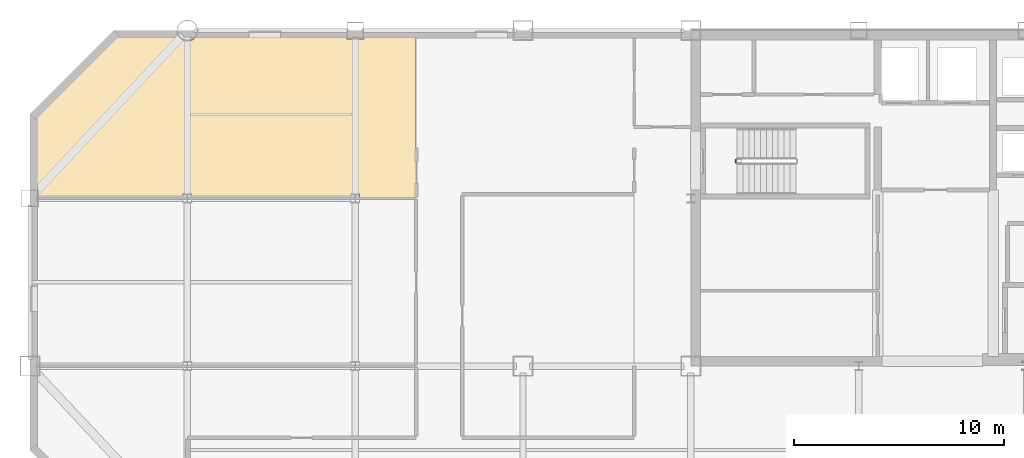
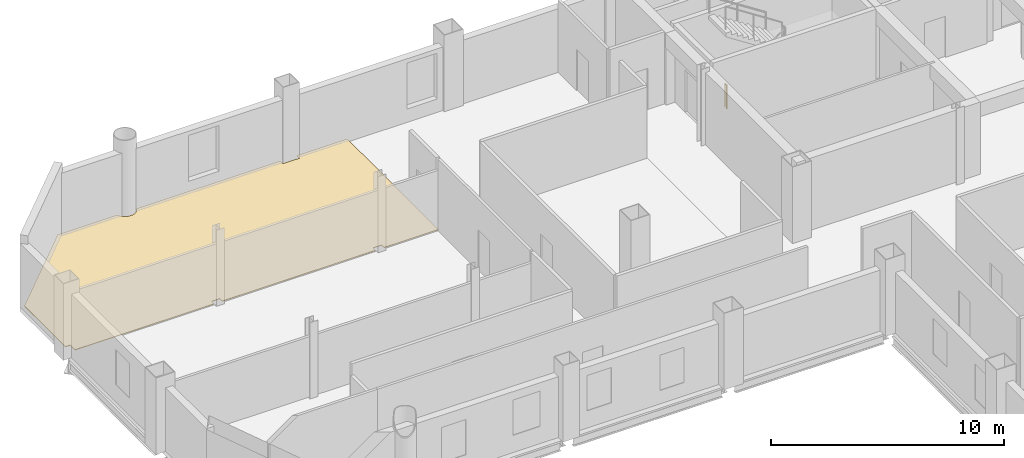
# One storey, part 9 of 10: 1 covering, 1 railing.
"""IFC4 building model written with IfcOpenShell, lengths in metres."""

from ifc_helpers import new_model, si_unit, direction, frame, origin, origin_2d, place, context, subcontext, project, spatial, polyline, circle, outline, extrude, material, layer, layer_set, type_object, element, save


model = new_model("IFC4")

# Units and contexts
model_context = context("Model", 3, precision=1e-05, world=origin(), true_north=direction((0.0, 1.0)))
body_context = subcontext(model_context, "Body", "Model", "MODEL_VIEW")
ifc_project = project(units=[si_unit("LENGTHUNIT", "METRE"), si_unit("AREAUNIT", "SQUARE_METRE"), si_unit("VOLUMEUNIT", "CUBIC_METRE"), si_unit("PLANEANGLEUNIT", "RADIAN"), si_unit("MASSUNIT", "GRAM", prefix="KILO")], contexts=[model_context])

# Site, building, storey
site_placement = place(None, origin())
site = spatial("IfcSite", under=ifc_project, at=site_placement, CompositionType="ELEMENT")
building_placement = place(site_placement, origin())
building = spatial("IfcBuilding", under=site, at=building_placement, Name="Qianrong Seaharbour Tower", CompositionType="ELEMENT")
storey_placement = place(building_placement, frame((0.0, 0.0, 245.800048828125)))
storey = spatial("IfcBuildingStorey", under=building, at=storey_placement, Name="L59", CompositionType="ELEMENT", Elevation=245.800048828125)

# Covering
ifc_material_1 = material(Name="Honed granite stone flooring", Category="masonry")
ifc_layer = layer(ifc_material_1, 0.030029296875)
ifc_layer_set = layer_set([ifc_layer], Name="Honed granite stone flooring")
covering_type = type_object("IfcCoveringType", Name="COV-FLOOR-GRANITE-30", PredefinedType="FLOORING", material=ifc_layer_set)
covering_placement = place(storey_placement, origin())
element("IfcCovering", 1, at=covering_placement, inside=storey, type_object=covering_type, Name="L59 Hospitality Dining Room 3 Finish Flooring", PredefinedType="FLOORING", context=body_context, shape_type="SweptSolid", body=[
    extrude(outline(polyline([(9.175048828125, 47.927490234375), (13.072509765625, 51.824951171875), (16.022705078125, 51.824951171875), (16.02880859375, 51.8046875), (16.075927734375, 51.716796875), (16.139404296875, 51.639404296875), (16.216796875, 51.575927734375), (16.3046875, 51.52880859375), (16.400390625, 51.499755859375), (16.5, 51.489990234375), (16.599609375, 51.499755859375), (16.6953125, 51.52880859375), (16.783203125, 51.575927734375), (16.860595703125, 51.639404296875), (16.924072265625, 51.716796875), (16.97119140625, 51.8046875), (16.977294921875, 51.824951171875), (24.090087890625, 51.824951171875), (24.090087890625, 51.590087890625), (24.909912109375, 51.590087890625), (24.909912109375, 51.824951171875), (27.39990234375, 51.824951171875), (27.39990234375, 44.0), (24.7099609375, 44.0), (24.7099609375, 44.2099609375), (24.2900390625, 44.2099609375), (24.2900390625, 44.0), (16.7099609375, 44.0), (16.7099609375, 44.2099609375), (16.2900390625, 44.2099609375), (16.2900390625, 44.0), (9.409912109375, 44.0), (9.409912109375, 44.409912109375), (9.175048828125, 44.409912109375), (9.175048828125, 47.927490234375)])), origin(), (0.0, 0.0, 1.0), 0.030029296875),
])

# Railing
ifc_material_2 = material(Name="Galvanized painted steel SN400B stair guard", Category="steel")
railing_type = type_object("IfcRailingType", Name="RAIL-STAIR-GUARD-1220", PredefinedType="GUARDRAIL", material=ifc_material_2)
railing_placement = place(storey_placement, frame((42.64990234375, 45.699951171875, 0.0)))
element("IfcRailing", 2, at=railing_placement, inside=storey, type_object=railing_type, Name="L59 ST-1 stair guard 4", PredefinedType="GUARDRAIL", context=body_context, shape_type="SweptSolid", body=[
    extrude(circle(Radius=0.02392578125, at=origin_2d()), frame((0.0, 0.0, 1.19580078125), z_axis=(0.0, 1.0, 0.0), x_axis=(-1.0, 0.0, 0.0)), (0.0, 0.0, 1.0), 0.150146484375),
    extrude(circle(Radius=0.02099609375, at=origin_2d()), origin(), (0.0, 0.0, 1.0), 1.171875),
    extrude(circle(Radius=0.02099609375, at=origin_2d()), frame((0.0, 0.150146484375, 0.0)), (0.0, 0.0, 1.0), 1.171875),
])

save(model, "model.ifc")
